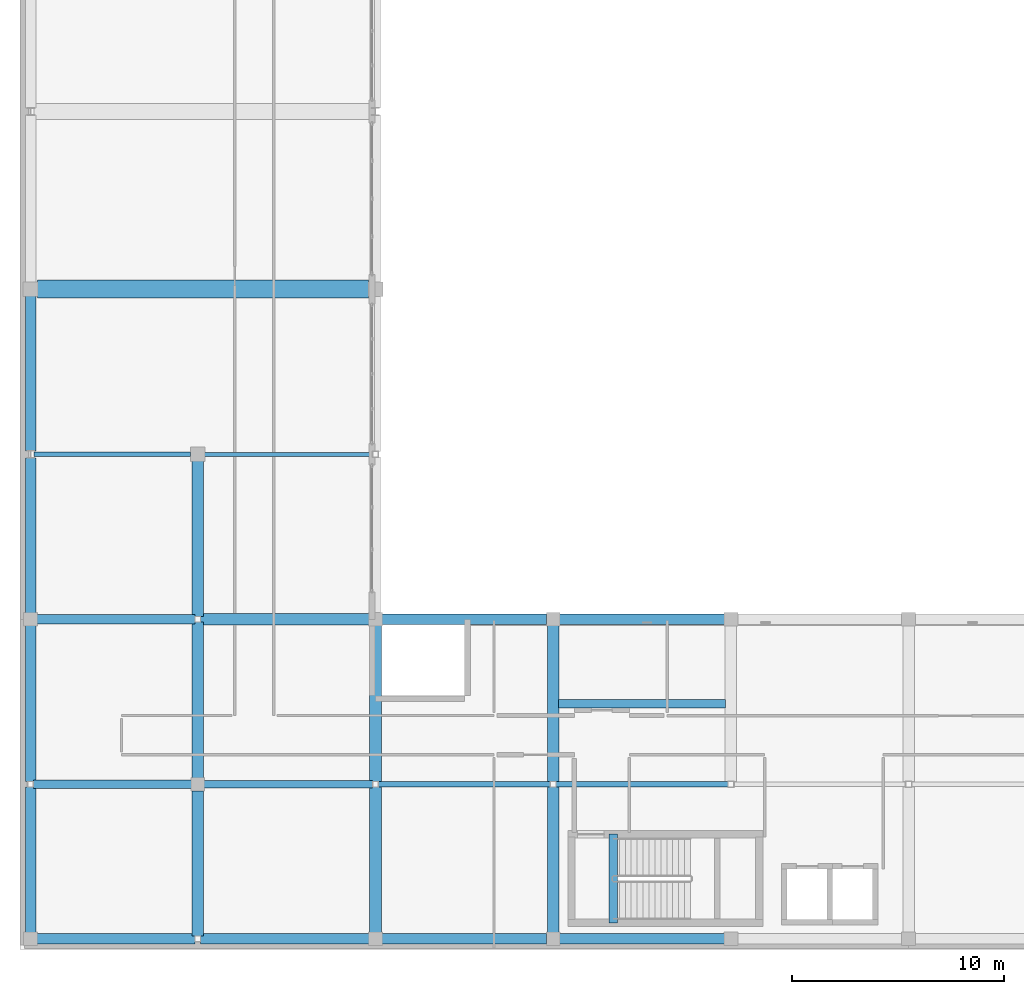
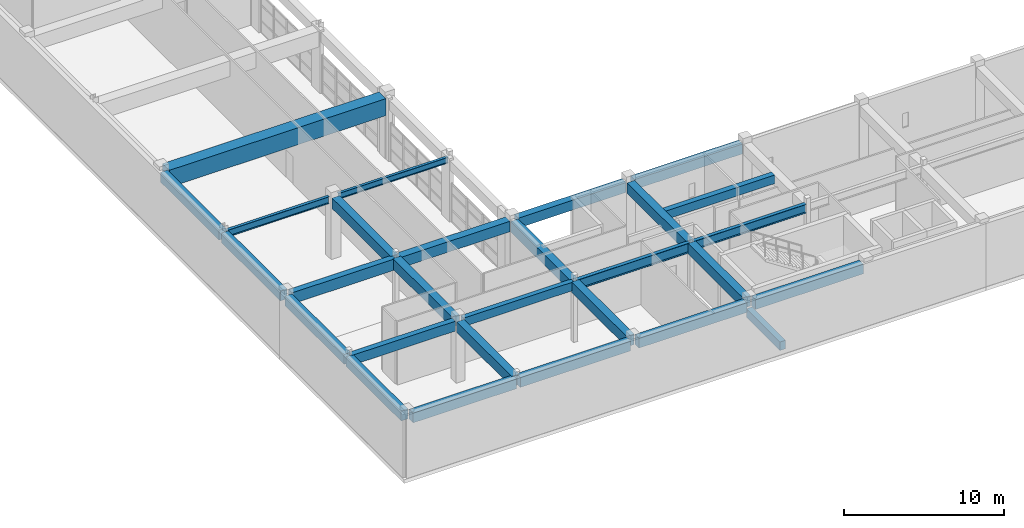
# One storey, part 12 of 103: 28 beams.
"""IFC4 building model written with IfcOpenShell, lengths in metres."""

from ifc_helpers import new_model, si_unit, direction, frame, origin, origin_2d, place, context, subcontext, project, spatial, rectangle, i_section, extrude, material, material_profile, profile_set, type_object, element, save


model = new_model("IFC4")

# Units and contexts
model_context = context("Model", 3, precision=1e-05, world=origin(), true_north=direction((0.0, 1.0)))
body_context = subcontext(model_context, "Body", "Model", "MODEL_VIEW")
ifc_project = project(units=[si_unit("LENGTHUNIT", "METRE"), si_unit("AREAUNIT", "SQUARE_METRE"), si_unit("VOLUMEUNIT", "CUBIC_METRE"), si_unit("PLANEANGLEUNIT", "RADIAN"), si_unit("MASSUNIT", "GRAM", prefix="KILO")], contexts=[model_context])

# Site, building, storey
site_placement = place(None, origin())
site = spatial("IfcSite", under=ifc_project, at=site_placement, CompositionType="ELEMENT")
building_placement = place(site_placement, origin())
building = spatial("IfcBuilding", under=site, at=building_placement, Name="Quendrovan Civic Courthouse", CompositionType="ELEMENT")
storey_placement = place(building_placement, frame((0.0, 0.0, 15.300048828125)))
storey = spatial("IfcBuildingStorey", under=building, at=storey_placement, Name="L04", CompositionType="ELEMENT", Elevation=15.300048828125)

# Beams
ifc_material_1 = material(Name="Post-tensioned concrete C50/60", Category="concrete")
ifc_material_profile_1 = material_profile(ifc_material_1, rectangle(XDim=0.85009765625, YDim=1.300048828125, at=origin_2d()), Name="PT-GRD-850x1300")
ifc_profile_set_1 = profile_set([ifc_material_profile_1], Name="Post-tensioned concrete C50/60")
beam_type_1 = type_object("IfcBeamType", Name="BM-PT1300", PredefinedType="BEAM", material=ifc_profile_set_1)
beam_1_placement = place(storey_placement, frame((0.830078125, 31.199951171875, 4.010009765625), z_axis=(1.0, 0.0, 0.0), x_axis=(0.0, 1.0, 0.0)))
element("IfcBeam", 1, at=beam_1_placement, inside=storey, type_object=beam_type_1, Name="L04 Girder X0901", PredefinedType="BEAM", context=body_context, shape_type="SweptSolid", body=[
    extrude(rectangle(XDim=0.85009765625, YDim=1.300048828125, at=origin_2d()), origin(), (0.0, 0.0, 1.0), 15.639892578125),
])
ifc_material_2 = material(Name="Concrete C40/50", Category="concrete")
ifc_material_profile_2 = material_profile(ifc_material_2, rectangle(XDim=0.39990234375, YDim=0.64990234375, at=origin_2d()), Name="RC-BM-400x650")
ifc_profile_set_2 = profile_set([ifc_material_profile_2], Name="Concrete C40/50")
beam_type_2 = type_object("IfcBeamType", Name="BM-RC650", PredefinedType="JOIST", material=ifc_profile_set_2)
beam_2_placement = place(storey_placement, frame((25.455078125, 11.612548828125, 4.3349609375), z_axis=(1.0, 0.0, 0.0), x_axis=(0.0, 1.0, 0.0)))
element("IfcBeam", 2, at=beam_2_placement, inside=storey, type_object=beam_type_2, Name="L04 Secondary Joist 0998", PredefinedType="JOIST", context=body_context, shape_type="SweptSolid", body=[
    extrude(rectangle(XDim=0.39990234375, YDim=0.64990234375, at=origin_2d()), origin(), (0.0, 0.0, 1.0), 7.889892578125),
])
beam_3_placement = place(storey_placement, frame((28.050048828125, 1.25, -0.324951171875), z_axis=(0.0, 1.0, 0.0), x_axis=(-1.0, 0.0, 0.0)))
element("IfcBeam", 3, at=beam_3_placement, inside=storey, type_object=beam_type_2, Name="L04 Stair ST5 Landing Trimmer Beam", PredefinedType="JOIST", context=body_context, shape_type="SweptSolid", body=[
    extrude(rectangle(XDim=0.39990234375, YDim=0.64990234375, at=origin_2d()), origin(), (0.0, 0.0, 1.0), 4.199951171875),
])
ifc_material_profile_3 = material_profile(ifc_material_2, rectangle(XDim=0.35009765625, YDim=0.64990234375, at=origin_2d()), Name="RC-BM-350x650")
ifc_profile_set_3 = profile_set([ifc_material_profile_3], Name="Concrete C40/50")
beam_type_3 = type_object("IfcBeamType", Name="BM-RC650B", PredefinedType="BEAM", material=ifc_profile_set_3)
beam_4_placement = place(storey_placement, frame((8.705078125, 7.800048828125, 4.3349609375), z_axis=(1.0, 0.0, 0.0), x_axis=(0.0, 1.0, 0.0)))
element("IfcBeam", 4, at=beam_4_placement, inside=storey, type_object=beam_type_3, Name="L04 Girder X0885", PredefinedType="BEAM", context=body_context, shape_type="SweptSolid", body=[
    extrude(rectangle(XDim=0.35009765625, YDim=0.64990234375, at=origin_2d()), origin(), (0.0, 0.0, 1.0), 7.96484375),
])
ifc_material_profile_4 = material_profile(ifc_material_2, rectangle(XDim=0.5, YDim=0.75, at=origin_2d()), Name="RC-BM-500x750")
ifc_profile_set_4 = profile_set([ifc_material_profile_4], Name="Concrete C40/50")
beam_type_4 = type_object("IfcBeamType", Name="BM-RC750", PredefinedType="SPANDREL", material=ifc_profile_set_4)
beam_5_placement = place(storey_placement, frame((0.804931640625, 0.5, 4.284912109375), z_axis=(1.0, 0.0, 0.0), x_axis=(0.0, 1.0, 0.0)))
element("IfcBeam", 5, at=beam_5_placement, inside=storey, type_object=beam_type_4, Name="L04 Girder X0876", PredefinedType="SPANDREL", context=body_context, shape_type="SweptSolid", body=[
    extrude(rectangle(XDim=0.5, YDim=0.75, at=origin_2d()), origin(), (0.0, 0.0, 1.0), 7.465087890625),
])
beam_6_placement = place(storey_placement, frame((8.530029296875, 0.5, 4.284912109375), z_axis=(1.0, 0.0, 0.0), x_axis=(0.0, 1.0, 0.0)))
element("IfcBeam", 6, at=beam_6_placement, inside=storey, type_object=beam_type_4, Name="L04 Girder X0877", PredefinedType="SPANDREL", context=body_context, shape_type="SweptSolid", body=[
    extrude(rectangle(XDim=0.5, YDim=0.75, at=origin_2d()), origin(), (0.0, 0.0, 1.0), 7.965087890625),
])
for number, where, z_axis, x_axis, name in (
    (7, (17.10498046875, 0.5, 4.284912109375), (1.0, 0.0, 0.0), (0.0, 1.0, 0.0), "L04 Girder X0878"),
    (8, (25.5048828125, 0.5, 4.284912109375), (1.0, 0.0, 0.0), (0.0, 1.0, 0.0), "L04 Girder X0879"),
    (9, (17.10498046875, 15.60009765625, 4.284912109375), (1.0, 0.0, 0.0), (0.0, 1.0, 0.0), "L04 Girder X0894"),
    (10, (25.5048828125, 15.60009765625, 4.284912109375), (1.0, 0.0, 0.0), (0.0, 1.0, 0.0), "L04 Girder X0895"),
):
    element("IfcBeam", number, at=place(storey_placement, frame(where, z_axis=z_axis, x_axis=x_axis)), inside=storey, type_object=beam_type_4, Name=name, PredefinedType="SPANDREL", context=body_context, shape_type="SweptSolid", body=[
        extrude(rectangle(XDim=0.5, YDim=0.75, at=origin_2d()), origin(), (0.0, 0.0, 1.0), 7.7900390625),
    ])
beam_7_placement = place(storey_placement, frame((0.5, 0.804931640625, 4.284912109375), z_axis=(0.0, 1.0, 0.0), x_axis=(-1.0, 0.0, 0.0)))
element("IfcBeam", 11, at=beam_7_placement, inside=storey, type_object=beam_type_4, Name="L04 Girder Y0936", PredefinedType="SPANDREL", context=body_context, shape_type="SweptSolid", body=[
    extrude(rectangle(XDim=0.5, YDim=0.75, at=origin_2d()), origin(), (0.0, 0.0, 1.0), 6.864990234375),
])
beam_8_placement = place(storey_placement, frame((0.5, 7.929931640625, 4.284912109375), z_axis=(0.0, 1.0, 0.0), x_axis=(-1.0, 0.0, 0.0)))
element("IfcBeam", 12, at=beam_8_placement, inside=storey, type_object=beam_type_4, Name="L04 Girder Y0937", PredefinedType="SPANDREL", context=body_context, shape_type="SweptSolid", body=[
    extrude(rectangle(XDim=0.5, YDim=0.75, at=origin_2d()), origin(), (0.0, 0.0, 1.0), 7.364990234375),
])
beam_9_placement = place(storey_placement, frame((0.5, 15.905029296875, 4.284912109375), z_axis=(0.0, 1.0, 0.0), x_axis=(-1.0, 0.0, 0.0)))
element("IfcBeam", 13, at=beam_9_placement, inside=storey, type_object=beam_type_4, Name="L04 Girder Y0938", PredefinedType="SPANDREL", context=body_context, shape_type="SweptSolid", body=[
    extrude(rectangle(XDim=0.5, YDim=0.75, at=origin_2d()), origin(), (0.0, 0.0, 1.0), 7.328857421875),
])
beam_10_placement = place(storey_placement, frame((0.5, 23.56591796875, 4.284912109375), z_axis=(0.0, 1.0, 0.0), x_axis=(-1.0, 0.0, 0.0)))
element("IfcBeam", 14, at=beam_10_placement, inside=storey, type_object=beam_type_4, Name="L04 Girder Y0939", PredefinedType="SPANDREL", context=body_context, shape_type="SweptSolid", body=[
    extrude(rectangle(XDim=0.5, YDim=0.75, at=origin_2d()), origin(), (0.0, 0.0, 1.0), 7.30419921875),
])
ifc_material_profile_5 = material_profile(ifc_material_2, rectangle(XDim=0.39990234375, YDim=0.75, at=origin_2d()), Name="RC-BM-400x750")
ifc_profile_set_5 = profile_set([ifc_material_profile_5], Name="Concrete C40/50")
beam_type_5 = type_object("IfcBeamType", Name="BM-RC750B", PredefinedType="BEAM", material=ifc_profile_set_5)
beam_11_placement = place(storey_placement, frame((0.6298828125, 7.800048828125, 4.284912109375), z_axis=(1.0, 0.0, 0.0), x_axis=(0.0, 1.0, 0.0)))
element("IfcBeam", 15, at=beam_11_placement, inside=storey, type_object=beam_type_5, Name="L04 Girder X0884", PredefinedType="BEAM", context=body_context, shape_type="SweptSolid", body=[
    extrude(rectangle(XDim=0.39990234375, YDim=0.75, at=origin_2d()), origin(), (0.0, 0.0, 1.0), 7.465087890625),
])
ifc_material_profile_6 = material_profile(ifc_material_2, rectangle(XDim=0.550048828125, YDim=0.800048828125, at=origin_2d()), Name="RC-BM-550x800")
ifc_profile_set_6 = profile_set([ifc_material_profile_6], Name="Concrete C40/50")
beam_type_6 = type_object("IfcBeamType", Name="BM-RC800", PredefinedType="BEAM", material=ifc_profile_set_6)
beam_12_placement = place(storey_placement, frame((8.530029296875, 15.60009765625, 4.260009765625), z_axis=(1.0, 0.0, 0.0), x_axis=(0.0, 1.0, 0.0)))
element("IfcBeam", 16, at=beam_12_placement, inside=storey, type_object=beam_type_6, Name="L04 Girder X0893", PredefinedType="BEAM", context=body_context, shape_type="SweptSolid", body=[
    extrude(rectangle(XDim=0.550048828125, YDim=0.800048828125, at=origin_2d()), origin(), (0.0, 0.0, 1.0), 7.965087890625),
])
beam_13_placement = place(storey_placement, frame((8.39990234375, 0.6298828125, 4.260009765625), z_axis=(0.0, 1.0, 0.0), x_axis=(-1.0, 0.0, 0.0)))
element("IfcBeam", 17, at=beam_13_placement, inside=storey, type_object=beam_type_6, Name="L04 Girder Y0948", PredefinedType="BEAM", context=body_context, shape_type="SweptSolid", body=[
    extrude(rectangle(XDim=0.550048828125, YDim=0.800048828125, at=origin_2d()), origin(), (0.0, 0.0, 1.0), 6.865234375),
])
beam_14_placement = place(storey_placement, frame((8.39990234375, 8.10498046875, 4.260009765625), z_axis=(0.0, 1.0, 0.0), x_axis=(-1.0, 0.0, 0.0)))
element("IfcBeam", 18, at=beam_14_placement, inside=storey, type_object=beam_type_6, Name="L04 Girder Y0949", PredefinedType="BEAM", context=body_context, shape_type="SweptSolid", body=[
    extrude(rectangle(XDim=0.550048828125, YDim=0.800048828125, at=origin_2d()), origin(), (0.0, 0.0, 1.0), 7.364990234375),
])
beam_15_placement = place(storey_placement, frame((8.39990234375, 15.72998046875, 4.260009765625), z_axis=(0.0, 1.0, 0.0), x_axis=(-1.0, 0.0, 0.0)))
element("IfcBeam", 19, at=beam_15_placement, inside=storey, type_object=beam_type_6, Name="L04 Girder Y0950", PredefinedType="BEAM", context=body_context, shape_type="SweptSolid", body=[
    extrude(rectangle(XDim=0.550048828125, YDim=0.800048828125, at=origin_2d()), origin(), (0.0, 0.0, 1.0), 7.340087890625),
])
beam_16_placement = place(storey_placement, frame((16.800048828125, 0.804931640625, 4.260009765625), z_axis=(0.0, 1.0, 0.0), x_axis=(-1.0, 0.0, 0.0)))
element("IfcBeam", 20, at=beam_16_placement, inside=storey, type_object=beam_type_6, Name="L04 Girder Y0951", PredefinedType="BEAM", context=body_context, shape_type="SweptSolid", body=[
    extrude(rectangle(XDim=0.550048828125, YDim=0.800048828125, at=origin_2d()), origin(), (0.0, 0.0, 1.0), 6.864990234375),
])
beam_17_placement = place(storey_placement, frame((16.800048828125, 7.929931640625, 4.260009765625), z_axis=(0.0, 1.0, 0.0), x_axis=(-1.0, 0.0, 0.0)))
element("IfcBeam", 21, at=beam_17_placement, inside=storey, type_object=beam_type_6, Name="L04 Girder Y0952", PredefinedType="BEAM", context=body_context, shape_type="SweptSolid", body=[
    extrude(rectangle(XDim=0.550048828125, YDim=0.800048828125, at=origin_2d()), origin(), (0.0, 0.0, 1.0), 7.364990234375),
])
beam_18_placement = place(storey_placement, frame((25.199951171875, 0.804931640625, 4.260009765625), z_axis=(0.0, 1.0, 0.0), x_axis=(-1.0, 0.0, 0.0)))
element("IfcBeam", 22, at=beam_18_placement, inside=storey, type_object=beam_type_6, Name="L04 Girder Y0962", PredefinedType="BEAM", context=body_context, shape_type="SweptSolid", body=[
    extrude(rectangle(XDim=0.550048828125, YDim=0.800048828125, at=origin_2d()), origin(), (0.0, 0.0, 1.0), 6.864990234375),
])
beam_19_placement = place(storey_placement, frame((25.199951171875, 7.929931640625, 4.260009765625), z_axis=(0.0, 1.0, 0.0), x_axis=(-1.0, 0.0, 0.0)))
element("IfcBeam", 23, at=beam_19_placement, inside=storey, type_object=beam_type_6, Name="L04 Girder Y0963", PredefinedType="BEAM", context=body_context, shape_type="SweptSolid", body=[
    extrude(rectangle(XDim=0.550048828125, YDim=0.800048828125, at=origin_2d()), origin(), (0.0, 0.0, 1.0), 7.364990234375),
])
ifc_material_3 = material(Name="Concrete C45/55", Category="concrete")
ifc_material_profile_7 = material_profile(ifc_material_3, rectangle(XDim=0.449951171875, YDim=0.85009765625, at=origin_2d()), Name="RC-BM-450x850")
ifc_profile_set_7 = profile_set([ifc_material_profile_7], Name="Concrete C45/55")
beam_type_7 = type_object("IfcBeamType", Name="BM-RC850", PredefinedType="BEAM", material=ifc_profile_set_7)
beam_20_placement = place(storey_placement, frame((0.804931640625, 15.60009765625, 4.23486328125), z_axis=(1.0, 0.0, 0.0), x_axis=(0.0, 1.0, 0.0)))
element("IfcBeam", 24, at=beam_20_placement, inside=storey, type_object=beam_type_7, Name="L04 Girder X0892", PredefinedType="BEAM", context=body_context, shape_type="SweptSolid", body=[
    extrude(rectangle(XDim=0.449951171875, YDim=0.85009765625, at=origin_2d()), origin(), (0.0, 0.0, 1.0), 7.465087890625),
])
ifc_material_4 = material(Name="Steel ASTM A992 Grade 50", Category="steel")
ifc_material_profile_8 = material_profile(ifc_material_4, i_section(OverallWidth=0.18994140625, OverallDepth=0.45703125, WebThickness=0.009033203125, FlangeThickness=0.014404296875, at=origin_2d()), Name="W18X50")
ifc_profile_set_8 = profile_set([ifc_material_profile_8], Name="Steel ASTM A992 Grade 50")
beam_type_8 = type_object("IfcBeamType", Name="BM-STL-W18", PredefinedType="JOIST", material=ifc_profile_set_8)
beam_21_placement = place(storey_placement, frame((8.72998046875, 23.39990234375, 4.431396484375), z_axis=(1.0, 0.0, 0.0), x_axis=(0.0, 1.0, 0.0)))
element("IfcBeam", 25, at=beam_21_placement, inside=storey, type_object=beam_type_8, Name="L04 Girder X0900", PredefinedType="JOIST", context=body_context, shape_type="SweptSolid", body=[
    extrude(i_section(OverallWidth=0.18994140625, OverallDepth=0.45703125, WebThickness=0.009033203125, FlangeThickness=0.014404296875, at=origin_2d()), origin(), (0.0, 0.0, 1.0), 7.93994140625),
])
ifc_material_profile_9 = material_profile(ifc_material_4, i_section(OverallWidth=0.208984375, OverallDepth=0.532958984375, WebThickness=0.01025390625, FlangeThickness=0.015625, at=origin_2d()), Name="W21X62")
ifc_profile_set_9 = profile_set([ifc_material_profile_9], Name="Steel ASTM A992 Grade 50")
beam_type_9 = type_object("IfcBeamType", Name="BM-STL-W21", PredefinedType="JOIST", material=ifc_profile_set_9)
beam_22_placement = place(storey_placement, frame((0.6669921875, 23.39990234375, 4.3935546875), z_axis=(1.0, 0.0, 0.0), x_axis=(0.0, 1.0, 0.0)))
element("IfcBeam", 26, at=beam_22_placement, inside=storey, type_object=beam_type_9, Name="L04 Girder X0899", PredefinedType="JOIST", context=body_context, shape_type="SweptSolid", body=[
    extrude(i_section(OverallWidth=0.208984375, OverallDepth=0.532958984375, WebThickness=0.01025390625, FlangeThickness=0.015625, at=origin_2d()), origin(), (0.0, 0.0, 1.0), 7.403076171875),
])
ifc_material_profile_10 = material_profile(ifc_material_4, i_section(OverallWidth=0.25390625, OverallDepth=0.68408203125, WebThickness=0.012451171875, FlangeThickness=0.018798828125, at=origin_2d()), Name="W27X94")
ifc_profile_set_10 = profile_set([ifc_material_profile_10], Name="Steel ASTM A992 Grade 50")
beam_type_10 = type_object("IfcBeamType", Name="BM-STL-W27", PredefinedType="BEAM", material=ifc_profile_set_10)
beam_23_placement = place(storey_placement, frame((25.330078125, 7.800048828125, 4.31787109375), z_axis=(1.0, 0.0, 0.0), x_axis=(0.0, 1.0, 0.0)))
element("IfcBeam", 27, at=beam_23_placement, inside=storey, type_object=beam_type_10, Name="L04 Girder X0887", PredefinedType="BEAM", context=body_context, shape_type="SweptSolid", body=[
    extrude(i_section(OverallWidth=0.25390625, OverallDepth=0.68408203125, WebThickness=0.012451171875, FlangeThickness=0.018798828125, at=origin_2d()), origin(), (0.0, 0.0, 1.0), 8.139892578125),
])
ifc_material_profile_11 = material_profile(ifc_material_4, i_section(OverallWidth=0.26611328125, OverallDepth=0.758056640625, WebThickness=0.013916015625, FlangeThickness=0.019287109375, at=origin_2d()), Name="W30X108")
ifc_profile_set_11 = profile_set([ifc_material_profile_11], Name="Steel ASTM A992 Grade 50")
beam_type_11 = type_object("IfcBeamType", Name="BM-STL-W30", PredefinedType="BEAM", material=ifc_profile_set_11)
beam_24_placement = place(storey_placement, frame((16.929931640625, 7.800048828125, 4.281005859375), z_axis=(1.0, 0.0, 0.0), x_axis=(0.0, 1.0, 0.0)))
element("IfcBeam", 28, at=beam_24_placement, inside=storey, type_object=beam_type_11, Name="L04 Girder X0886", PredefinedType="BEAM", context=body_context, shape_type="SweptSolid", body=[
    extrude(i_section(OverallWidth=0.26611328125, OverallDepth=0.758056640625, WebThickness=0.013916015625, FlangeThickness=0.019287109375, at=origin_2d()), origin(), (0.0, 0.0, 1.0), 8.14013671875),
])

save(model, "model.ifc")
